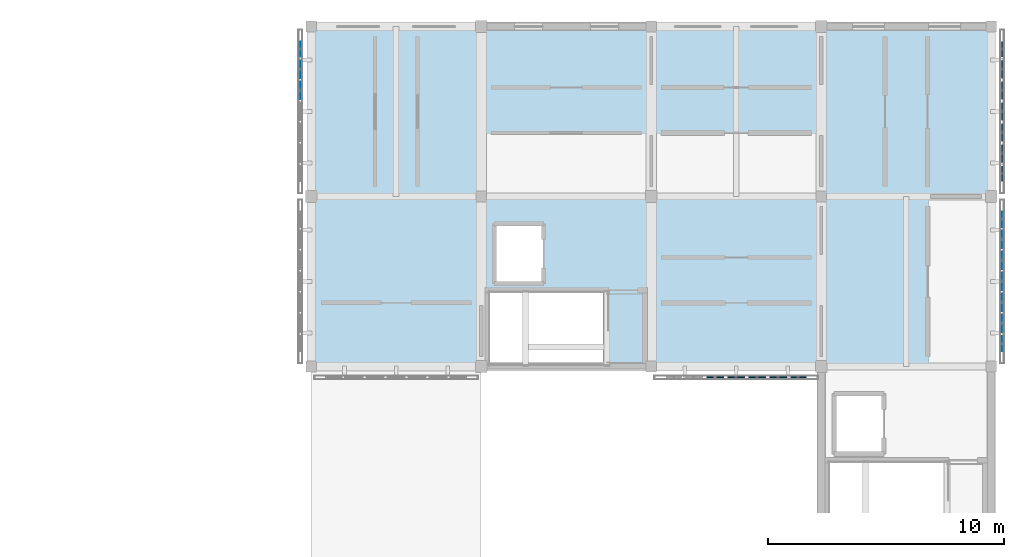
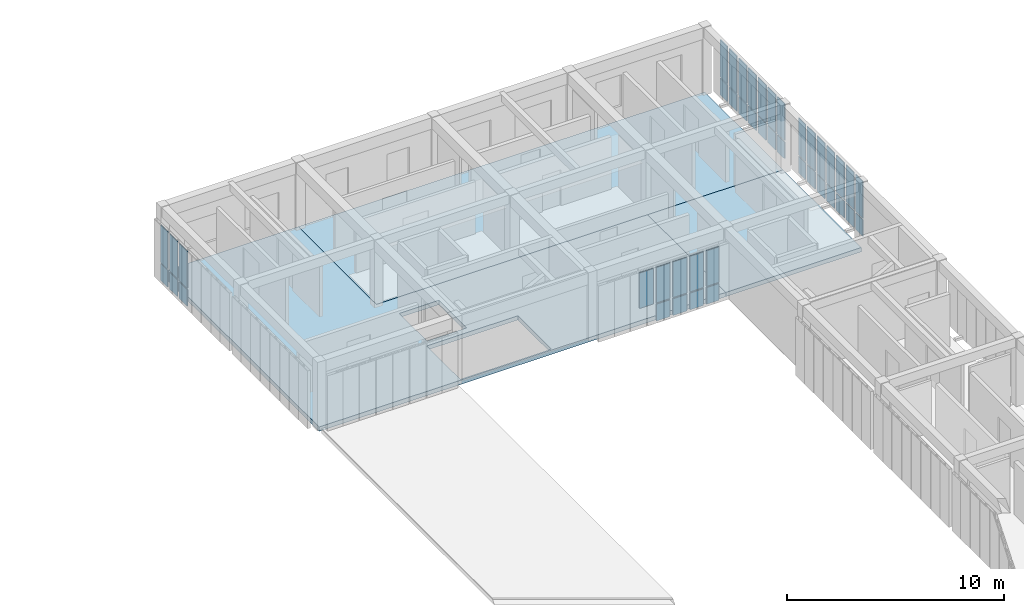
# One storey, part 22 of 33: 43 plates, 3 slabs, 4 elements without a shape of their own.
"""IFC4 building model written with IfcOpenShell, lengths in metres."""

from ifc_helpers import new_model, si_unit, direction, frame, origin, origin_2d, place, context, subcontext, project, spatial, polyline, rectangle, outline, extrude, material, layer, layer_set, type_object, element, aggregate, save


model = new_model("IFC4")

# Units and contexts
model_context = context("Model", 3, precision=1e-05, world=origin(), true_north=direction((0.0, 1.0)))
body_context = subcontext(model_context, "Body", "Model", "MODEL_VIEW")
ifc_project = project(units=[si_unit("LENGTHUNIT", "METRE"), si_unit("AREAUNIT", "SQUARE_METRE"), si_unit("VOLUMEUNIT", "CUBIC_METRE"), si_unit("PLANEANGLEUNIT", "RADIAN"), si_unit("MASSUNIT", "GRAM", prefix="KILO")], contexts=[model_context])

# Site, building, storey
site_placement = place(None, origin())
site = spatial("IfcSite", under=ifc_project, at=site_placement, CompositionType="ELEMENT")
building_placement = place(site_placement, origin())
building = spatial("IfcBuilding", under=site, at=building_placement, Name="Aldebral Square Health Centre", CompositionType="ELEMENT")
storey_placement = place(building_placement, frame((0.0, 0.0, 17.550048828125)))
storey = spatial("IfcBuildingStorey", under=building, at=storey_placement, Name="L04", CompositionType="ELEMENT", Elevation=17.550048828125)

# Curtain wall, plates
ifc_material_1 = material(Name="Aluminium and low-E solar glass", Category="aluminium")
curtain_wall_type = type_object("IfcCurtainWallType", Name="CW-FIN-SYS", PredefinedType="USERDEFINED", material=ifc_material_1)
curtain_wall_1_placement = place(storey_placement, origin())
curtain_wall_1 = element("IfcCurtainWall", 1, at=curtain_wall_1_placement, inside=storey, type_object=curtain_wall_type, Name="L04 V5 finned curtain wall L04-V5-19-15-W", ObjectType="SOLAR_CURTAIN_WALL", PredefinedType="USERDEFINED")
ifc_material_2 = material(Name="Solar-control low-E double glass", Category="glass")
ifc_layer_1 = layer(ifc_material_2, 0.0400390625, Name="Solar-control low-E double glass", Category="glass")
ifc_layer_set_1 = layer_set([ifc_layer_1], Name="Solar-control low-E double glass")
plate_type_1 = type_object("IfcPlateType", Name="CWP-GLZ-3", PredefinedType="CURTAIN_PANEL", material=ifc_layer_set_1)
plate_1_placement = place(storey_placement, frame((136.340087890625, 114.234375, 0.074951171875), z_axis=(0.0, 0.0, 1.0), x_axis=(0.0, -1.0, 0.0)))
plate_1 = element("IfcPlate", 2, at=plate_1_placement, type_object=plate_type_1, Name="CW1 panel 1.1", PredefinedType="CURTAIN_PANEL", context=body_context, shape_type="SweptSolid", body=[
    extrude(rectangle(XDim=0.6513671875, YDim=0.0400390625, at=origin_2d()), origin(), (0.0, 0.0, 1.0), 0.9375),
])
plate_2_placement = place(storey_placement, frame((136.340087890625, 114.234375, 1.08740234375), z_axis=(0.0, 0.0, 1.0), x_axis=(0.0, -1.0, 0.0)))
plate_2 = element("IfcPlate", 3, at=plate_2_placement, type_object=plate_type_1, Name="CW1 panel 1.2", PredefinedType="CURTAIN_PANEL", context=body_context, shape_type="SweptSolid", body=[
    extrude(rectangle(XDim=0.6513671875, YDim=0.0400390625, at=origin_2d()), origin(), (0.0, 0.0, 1.0), 2.08740234375),
])
plate_3_placement = place(storey_placement, frame((136.340087890625, 113.3828125, 0.074951171875), z_axis=(0.0, 0.0, 1.0), x_axis=(0.0, -1.0, 0.0)))
plate_3 = element("IfcPlate", 4, at=plate_3_placement, type_object=plate_type_1, Name="CW1 panel 2.1", PredefinedType="CURTAIN_PANEL", context=body_context, shape_type="SweptSolid", body=[
    extrude(rectangle(XDim=0.7314453125, YDim=0.0400390625, at=origin_2d()), origin(), (0.0, 0.0, 1.0), 0.9375),
])
plate_4_placement = place(storey_placement, frame((136.340087890625, 113.3828125, 1.08740234375), z_axis=(0.0, 0.0, 1.0), x_axis=(0.0, -1.0, 0.0)))
plate_4 = element("IfcPlate", 5, at=plate_4_placement, type_object=plate_type_1, Name="CW1 panel 2.2", PredefinedType="CURTAIN_PANEL", context=body_context, shape_type="SweptSolid", body=[
    extrude(rectangle(XDim=0.7314453125, YDim=0.0400390625, at=origin_2d()), origin(), (0.0, 0.0, 1.0), 2.08740234375),
])
plate_5_placement = place(storey_placement, frame((136.340087890625, 112.491455078125, 0.074951171875), z_axis=(0.0, 0.0, 1.0), x_axis=(0.0, -1.0, 0.0)))
plate_5 = element("IfcPlate", 6, at=plate_5_placement, type_object=plate_type_1, Name="CW1 panel 3.1", PredefinedType="CURTAIN_PANEL", context=body_context, shape_type="SweptSolid", body=[
    extrude(rectangle(XDim=0.7314453125, YDim=0.0400390625, at=origin_2d()), origin(), (0.0, 0.0, 1.0), 0.9375),
])
plate_6_placement = place(storey_placement, frame((136.340087890625, 112.491455078125, 1.08740234375), z_axis=(0.0, 0.0, 1.0), x_axis=(0.0, -1.0, 0.0)))
plate_6 = element("IfcPlate", 7, at=plate_6_placement, type_object=plate_type_1, Name="CW1 panel 3.2", PredefinedType="CURTAIN_PANEL", context=body_context, shape_type="SweptSolid", body=[
    extrude(rectangle(XDim=0.7314453125, YDim=0.0400390625, at=origin_2d()), origin(), (0.0, 0.0, 1.0), 2.08740234375),
])
aggregate(curtain_wall_1, [plate_1, plate_2, plate_3, plate_4, plate_5, plate_6])

curtain_wall_2_placement = place(storey_placement, origin())
curtain_wall_2 = element("IfcCurtainWall", 8, at=curtain_wall_2_placement, inside=storey, type_object=curtain_wall_type, Name="L04 V5 finned curtain wall L04-V5-22-14-E", ObjectType="SOLAR_CURTAIN_WALL", PredefinedType="USERDEFINED")
plate_7_placement = place(storey_placement, frame((166.06005859375, 101.765625, 0.074951171875), z_axis=(0.0, 0.0, 1.0), x_axis=(0.0, 1.0, 0.0)))
plate_7 = element("IfcPlate", 9, at=plate_7_placement, type_object=plate_type_1, Name="CW1 panel 1.1", PredefinedType="CURTAIN_PANEL", context=body_context, shape_type="SweptSolid", body=[
    extrude(rectangle(XDim=0.6513671875, YDim=0.0400390625, at=origin_2d()), origin(), (0.0, 0.0, 1.0), 0.9375),
])
plate_8_placement = place(storey_placement, frame((166.06005859375, 101.765625, 1.08740234375), z_axis=(0.0, 0.0, 1.0), x_axis=(0.0, 1.0, 0.0)))
plate_8 = element("IfcPlate", 10, at=plate_8_placement, type_object=plate_type_1, Name="CW1 panel 1.2", PredefinedType="CURTAIN_PANEL", context=body_context, shape_type="SweptSolid", body=[
    extrude(rectangle(XDim=0.6513671875, YDim=0.0400390625, at=origin_2d()), origin(), (0.0, 0.0, 1.0), 2.08740234375),
])
plate_9_placement = place(storey_placement, frame((166.06005859375, 102.6171875, 0.074951171875), z_axis=(0.0, 0.0, 1.0), x_axis=(0.0, 1.0, 0.0)))
plate_9 = element("IfcPlate", 11, at=plate_9_placement, type_object=plate_type_1, Name="CW1 panel 2.1", PredefinedType="CURTAIN_PANEL", context=body_context, shape_type="SweptSolid", body=[
    extrude(rectangle(XDim=0.7314453125, YDim=0.0400390625, at=origin_2d()), origin(), (0.0, 0.0, 1.0), 0.9375),
])
plate_10_placement = place(storey_placement, frame((166.06005859375, 102.6171875, 1.08740234375), z_axis=(0.0, 0.0, 1.0), x_axis=(0.0, 1.0, 0.0)))
plate_10 = element("IfcPlate", 12, at=plate_10_placement, type_object=plate_type_1, Name="CW1 panel 2.2", PredefinedType="CURTAIN_PANEL", context=body_context, shape_type="SweptSolid", body=[
    extrude(rectangle(XDim=0.7314453125, YDim=0.0400390625, at=origin_2d()), origin(), (0.0, 0.0, 1.0), 2.08740234375),
])
plate_11_placement = place(storey_placement, frame((166.06005859375, 103.508544921875, 0.074951171875), z_axis=(0.0, 0.0, 1.0), x_axis=(0.0, 1.0, 0.0)))
plate_11 = element("IfcPlate", 13, at=plate_11_placement, type_object=plate_type_1, Name="CW1 panel 3.1", PredefinedType="CURTAIN_PANEL", context=body_context, shape_type="SweptSolid", body=[
    extrude(rectangle(XDim=0.7314453125, YDim=0.0400390625, at=origin_2d()), origin(), (0.0, 0.0, 1.0), 0.9375),
])
plate_12_placement = place(storey_placement, frame((166.06005859375, 103.508544921875, 1.08740234375), z_axis=(0.0, 0.0, 1.0), x_axis=(0.0, 1.0, 0.0)))
plate_12 = element("IfcPlate", 14, at=plate_12_placement, type_object=plate_type_1, Name="CW1 panel 3.2", PredefinedType="CURTAIN_PANEL", context=body_context, shape_type="SweptSolid", body=[
    extrude(rectangle(XDim=0.7314453125, YDim=0.0400390625, at=origin_2d()), origin(), (0.0, 0.0, 1.0), 2.08740234375),
])
plate_13_placement = place(storey_placement, frame((166.06005859375, 104.39990234375, 0.074951171875), z_axis=(0.0, 0.0, 1.0), x_axis=(0.0, 1.0, 0.0)))
plate_13 = element("IfcPlate", 15, at=plate_13_placement, type_object=plate_type_1, Name="CW1 panel 4.1", PredefinedType="CURTAIN_PANEL", context=body_context, shape_type="SweptSolid", body=[
    extrude(rectangle(XDim=0.7314453125, YDim=0.0400390625, at=origin_2d()), origin(), (0.0, 0.0, 1.0), 0.9375),
])
plate_14_placement = place(storey_placement, frame((166.06005859375, 104.39990234375, 1.08740234375), z_axis=(0.0, 0.0, 1.0), x_axis=(0.0, 1.0, 0.0)))
plate_14 = element("IfcPlate", 16, at=plate_14_placement, type_object=plate_type_1, Name="CW1 panel 4.2", PredefinedType="CURTAIN_PANEL", context=body_context, shape_type="SweptSolid", body=[
    extrude(rectangle(XDim=0.7314453125, YDim=0.0400390625, at=origin_2d()), origin(), (0.0, 0.0, 1.0), 2.08740234375),
])
plate_15_placement = place(storey_placement, frame((166.06005859375, 105.29150390625, 0.074951171875), z_axis=(0.0, 0.0, 1.0), x_axis=(0.0, 1.0, 0.0)))
plate_15 = element("IfcPlate", 17, at=plate_15_placement, type_object=plate_type_1, Name="CW1 panel 5.1", PredefinedType="CURTAIN_PANEL", context=body_context, shape_type="SweptSolid", body=[
    extrude(rectangle(XDim=0.7314453125, YDim=0.0400390625, at=origin_2d()), origin(), (0.0, 0.0, 1.0), 0.9375),
])
plate_16_placement = place(storey_placement, frame((166.06005859375, 105.29150390625, 1.08740234375), z_axis=(0.0, 0.0, 1.0), x_axis=(0.0, 1.0, 0.0)))
plate_16 = element("IfcPlate", 18, at=plate_16_placement, type_object=plate_type_1, Name="CW1 panel 5.2", PredefinedType="CURTAIN_PANEL", context=body_context, shape_type="SweptSolid", body=[
    extrude(rectangle(XDim=0.7314453125, YDim=0.0400390625, at=origin_2d()), origin(), (0.0, 0.0, 1.0), 2.08740234375),
])
plate_17_placement = place(storey_placement, frame((166.06005859375, 106.182861328125, 0.074951171875), z_axis=(0.0, 0.0, 1.0), x_axis=(0.0, 1.0, 0.0)))
plate_17 = element("IfcPlate", 19, at=plate_17_placement, type_object=plate_type_1, Name="CW1 panel 6.1", PredefinedType="CURTAIN_PANEL", context=body_context, shape_type="SweptSolid", body=[
    extrude(rectangle(XDim=0.7314453125, YDim=0.0400390625, at=origin_2d()), origin(), (0.0, 0.0, 1.0), 0.9375),
])
plate_18_placement = place(storey_placement, frame((166.06005859375, 106.182861328125, 1.08740234375), z_axis=(0.0, 0.0, 1.0), x_axis=(0.0, 1.0, 0.0)))
plate_18 = element("IfcPlate", 20, at=plate_18_placement, type_object=plate_type_1, Name="CW1 panel 6.2", PredefinedType="CURTAIN_PANEL", context=body_context, shape_type="SweptSolid", body=[
    extrude(rectangle(XDim=0.7314453125, YDim=0.0400390625, at=origin_2d()), origin(), (0.0, 0.0, 1.0), 2.08740234375),
])
plate_19_placement = place(storey_placement, frame((166.06005859375, 107.0341796875, 0.074951171875), z_axis=(0.0, 0.0, 1.0), x_axis=(0.0, 1.0, 0.0)))
plate_19 = element("IfcPlate", 21, at=plate_19_placement, type_object=plate_type_1, Name="CW1 panel 7.1", PredefinedType="CURTAIN_PANEL", context=body_context, shape_type="SweptSolid", body=[
    extrude(rectangle(XDim=0.6513671875, YDim=0.0400390625, at=origin_2d()), origin(), (0.0, 0.0, 1.0), 0.9375),
])
plate_20_placement = place(storey_placement, frame((166.06005859375, 107.0341796875, 1.08740234375), z_axis=(0.0, 0.0, 1.0), x_axis=(0.0, 1.0, 0.0)))
plate_20 = element("IfcPlate", 22, at=plate_20_placement, type_object=plate_type_1, Name="CW1 panel 7.2", PredefinedType="CURTAIN_PANEL", context=body_context, shape_type="SweptSolid", body=[
    extrude(rectangle(XDim=0.6513671875, YDim=0.0400390625, at=origin_2d()), origin(), (0.0, 0.0, 1.0), 2.08740234375),
])
aggregate(curtain_wall_2, [plate_7, plate_8, plate_9, plate_10, plate_11, plate_12, plate_13, plate_14, plate_15, plate_16, plate_17, plate_18, plate_19, plate_20])

curtain_wall_3_placement = place(storey_placement, origin())
curtain_wall_3 = element("IfcCurtainWall", 23, at=curtain_wall_3_placement, inside=storey, type_object=curtain_wall_type, Name="L04 V5 finned curtain wall L04-V5-21-14-S", ObjectType="SOLAR_CURTAIN_WALL", PredefinedType="USERDEFINED")
ifc_layer_2 = layer(ifc_material_2, 0.050048828125, Name="Solar-control low-E double glass", Category="glass")
ifc_layer_set_2 = layer_set([ifc_layer_2], Name="Solar-control low-E double glass")
plate_type_2 = type_object("IfcPlateType", Name="CWP-GLZ-4", PredefinedType="CURTAIN_PANEL", material=ifc_layer_set_2)
plate_21_placement = place(storey_placement, frame((153.90869140625, 100.340087890625, 1.08740234375), z_axis=(0.0, 0.0, 1.0), x_axis=(1.0, 0.0, 0.0)))
plate_21 = element("IfcPlate", 24, at=plate_21_placement, type_object=plate_type_2, Name="CW1 panel 3.2", PredefinedType="CURTAIN_PANEL", context=body_context, shape_type="SweptSolid", body=[
    extrude(rectangle(XDim=0.7314453125, YDim=0.050048828125, at=origin_2d()), origin(), (0.0, 0.0, 1.0), 1.987548828125),
])
plate_22_placement = place(storey_placement, frame((154.800048828125, 100.340087890625, 0.074951171875), z_axis=(0.0, 0.0, 1.0), x_axis=(1.0, 0.0, 0.0)))
plate_22 = element("IfcPlate", 25, at=plate_22_placement, type_object=plate_type_2, Name="CW1 panel 4.1", PredefinedType="CURTAIN_PANEL", context=body_context, shape_type="SweptSolid", body=[
    extrude(rectangle(XDim=0.7314453125, YDim=0.050048828125, at=origin_2d()), origin(), (0.0, 0.0, 1.0), 0.9375),
])
plate_23_placement = place(storey_placement, frame((154.800048828125, 100.340087890625, 1.08740234375), z_axis=(0.0, 0.0, 1.0), x_axis=(1.0, 0.0, 0.0)))
plate_23 = element("IfcPlate", 26, at=plate_23_placement, type_object=plate_type_2, Name="CW1 panel 4.2", PredefinedType="CURTAIN_PANEL", context=body_context, shape_type="SweptSolid", body=[
    extrude(rectangle(XDim=0.7314453125, YDim=0.050048828125, at=origin_2d()), origin(), (0.0, 0.0, 1.0), 1.987548828125),
])
plate_24_placement = place(storey_placement, frame((155.69140625, 100.340087890625, 0.074951171875), z_axis=(0.0, 0.0, 1.0), x_axis=(1.0, 0.0, 0.0)))
plate_24 = element("IfcPlate", 27, at=plate_24_placement, type_object=plate_type_2, Name="CW1 panel 5.1", PredefinedType="CURTAIN_PANEL", context=body_context, shape_type="SweptSolid", body=[
    extrude(rectangle(XDim=0.7314453125, YDim=0.050048828125, at=origin_2d()), origin(), (0.0, 0.0, 1.0), 0.9375),
])
plate_25_placement = place(storey_placement, frame((155.69140625, 100.340087890625, 1.08740234375), z_axis=(0.0, 0.0, 1.0), x_axis=(1.0, 0.0, 0.0)))
plate_25 = element("IfcPlate", 28, at=plate_25_placement, type_object=plate_type_2, Name="CW1 panel 5.2", PredefinedType="CURTAIN_PANEL", context=body_context, shape_type="SweptSolid", body=[
    extrude(rectangle(XDim=0.7314453125, YDim=0.050048828125, at=origin_2d()), origin(), (0.0, 0.0, 1.0), 1.987548828125),
])
plate_26_placement = place(storey_placement, frame((156.582763671875, 100.340087890625, 0.074951171875), z_axis=(0.0, 0.0, 1.0), x_axis=(1.0, 0.0, 0.0)))
plate_26 = element("IfcPlate", 29, at=plate_26_placement, type_object=plate_type_2, Name="CW1 panel 6.1", PredefinedType="CURTAIN_PANEL", context=body_context, shape_type="SweptSolid", body=[
    extrude(rectangle(XDim=0.7314453125, YDim=0.050048828125, at=origin_2d()), origin(), (0.0, 0.0, 1.0), 0.9375),
])
plate_27_placement = place(storey_placement, frame((156.582763671875, 100.340087890625, 1.08740234375), z_axis=(0.0, 0.0, 1.0), x_axis=(1.0, 0.0, 0.0)))
plate_27 = element("IfcPlate", 30, at=plate_27_placement, type_object=plate_type_2, Name="CW1 panel 6.2", PredefinedType="CURTAIN_PANEL", context=body_context, shape_type="SweptSolid", body=[
    extrude(rectangle(XDim=0.7314453125, YDim=0.050048828125, at=origin_2d()), origin(), (0.0, 0.0, 1.0), 1.987548828125),
])
plate_28_placement = place(storey_placement, frame((157.434326171875, 100.340087890625, 0.074951171875), z_axis=(0.0, 0.0, 1.0), x_axis=(1.0, 0.0, 0.0)))
plate_28 = element("IfcPlate", 31, at=plate_28_placement, type_object=plate_type_2, Name="CW1 panel 7.1", PredefinedType="CURTAIN_PANEL", context=body_context, shape_type="SweptSolid", body=[
    extrude(rectangle(XDim=0.6513671875, YDim=0.050048828125, at=origin_2d()), origin(), (0.0, 0.0, 1.0), 0.9375),
])
plate_29_placement = place(storey_placement, frame((157.434326171875, 100.340087890625, 1.08740234375), z_axis=(0.0, 0.0, 1.0), x_axis=(1.0, 0.0, 0.0)))
plate_29 = element("IfcPlate", 32, at=plate_29_placement, type_object=plate_type_2, Name="CW1 panel 7.2", PredefinedType="CURTAIN_PANEL", context=body_context, shape_type="SweptSolid", body=[
    extrude(rectangle(XDim=0.6513671875, YDim=0.050048828125, at=origin_2d()), origin(), (0.0, 0.0, 1.0), 1.987548828125),
])
aggregate(curtain_wall_3, [plate_21, plate_22, plate_23, plate_24, plate_25, plate_26, plate_27, plate_28, plate_29])

curtain_wall_4_placement = place(storey_placement, origin())
curtain_wall_4 = element("IfcCurtainWall", 33, at=curtain_wall_4_placement, inside=storey, type_object=curtain_wall_type, Name="L04 V5 finned curtain wall L04-V5-22-15-E", ObjectType="SOLAR_CURTAIN_WALL", PredefinedType="USERDEFINED")
plate_30_placement = place(storey_placement, frame((166.06005859375, 108.9658203125, 0.074951171875), z_axis=(0.0, 0.0, 1.0), x_axis=(0.0, 1.0, 0.0)))
plate_30 = element("IfcPlate", 34, at=plate_30_placement, type_object=plate_type_2, Name="CW1 panel 1.1", PredefinedType="CURTAIN_PANEL", context=body_context, shape_type="SweptSolid", body=[
    extrude(rectangle(XDim=0.6513671875, YDim=0.050048828125, at=origin_2d()), origin(), (0.0, 0.0, 1.0), 0.9375),
])
plate_31_placement = place(storey_placement, frame((166.06005859375, 108.9658203125, 1.08740234375), z_axis=(0.0, 0.0, 1.0), x_axis=(0.0, 1.0, 0.0)))
plate_31 = element("IfcPlate", 35, at=plate_31_placement, type_object=plate_type_2, Name="CW1 panel 1.2", PredefinedType="CURTAIN_PANEL", context=body_context, shape_type="SweptSolid", body=[
    extrude(rectangle(XDim=0.6513671875, YDim=0.050048828125, at=origin_2d()), origin(), (0.0, 0.0, 1.0), 2.08740234375),
])
plate_32_placement = place(storey_placement, frame((166.06005859375, 109.817138671875, 0.074951171875), z_axis=(0.0, 0.0, 1.0), x_axis=(0.0, 1.0, 0.0)))
plate_32 = element("IfcPlate", 36, at=plate_32_placement, type_object=plate_type_2, Name="CW1 panel 2.1", PredefinedType="CURTAIN_PANEL", context=body_context, shape_type="SweptSolid", body=[
    extrude(rectangle(XDim=0.7314453125, YDim=0.050048828125, at=origin_2d()), origin(), (0.0, 0.0, 1.0), 0.9375),
])
plate_33_placement = place(storey_placement, frame((166.06005859375, 109.817138671875, 1.08740234375), z_axis=(0.0, 0.0, 1.0), x_axis=(0.0, 1.0, 0.0)))
plate_33 = element("IfcPlate", 37, at=plate_33_placement, type_object=plate_type_2, Name="CW1 panel 2.2", PredefinedType="CURTAIN_PANEL", context=body_context, shape_type="SweptSolid", body=[
    extrude(rectangle(XDim=0.7314453125, YDim=0.050048828125, at=origin_2d()), origin(), (0.0, 0.0, 1.0), 2.08740234375),
])
plate_34_placement = place(storey_placement, frame((166.06005859375, 110.70849609375, 0.074951171875), z_axis=(0.0, 0.0, 1.0), x_axis=(0.0, 1.0, 0.0)))
plate_34 = element("IfcPlate", 38, at=plate_34_placement, type_object=plate_type_2, Name="CW1 panel 3.1", PredefinedType="CURTAIN_PANEL", context=body_context, shape_type="SweptSolid", body=[
    extrude(rectangle(XDim=0.7314453125, YDim=0.050048828125, at=origin_2d()), origin(), (0.0, 0.0, 1.0), 0.9375),
])
plate_35_placement = place(storey_placement, frame((166.06005859375, 110.70849609375, 1.08740234375), z_axis=(0.0, 0.0, 1.0), x_axis=(0.0, 1.0, 0.0)))
plate_35 = element("IfcPlate", 39, at=plate_35_placement, type_object=plate_type_2, Name="CW1 panel 3.2", PredefinedType="CURTAIN_PANEL", context=body_context, shape_type="SweptSolid", body=[
    extrude(rectangle(XDim=0.7314453125, YDim=0.050048828125, at=origin_2d()), origin(), (0.0, 0.0, 1.0), 2.08740234375),
])
plate_36_placement = place(storey_placement, frame((166.06005859375, 111.60009765625, 0.074951171875), z_axis=(0.0, 0.0, 1.0), x_axis=(0.0, 1.0, 0.0)))
plate_36 = element("IfcPlate", 40, at=plate_36_placement, type_object=plate_type_2, Name="CW1 panel 4.1", PredefinedType="CURTAIN_PANEL", context=body_context, shape_type="SweptSolid", body=[
    extrude(rectangle(XDim=0.7314453125, YDim=0.050048828125, at=origin_2d()), origin(), (0.0, 0.0, 1.0), 0.9375),
])
plate_37_placement = place(storey_placement, frame((166.06005859375, 111.60009765625, 1.08740234375), z_axis=(0.0, 0.0, 1.0), x_axis=(0.0, 1.0, 0.0)))
plate_37 = element("IfcPlate", 41, at=plate_37_placement, type_object=plate_type_2, Name="CW1 panel 4.2", PredefinedType="CURTAIN_PANEL", context=body_context, shape_type="SweptSolid", body=[
    extrude(rectangle(XDim=0.7314453125, YDim=0.050048828125, at=origin_2d()), origin(), (0.0, 0.0, 1.0), 2.08740234375),
])
plate_38_placement = place(storey_placement, frame((166.06005859375, 112.491455078125, 0.074951171875), z_axis=(0.0, 0.0, 1.0), x_axis=(0.0, 1.0, 0.0)))
plate_38 = element("IfcPlate", 42, at=plate_38_placement, type_object=plate_type_2, Name="CW1 panel 5.1", PredefinedType="CURTAIN_PANEL", context=body_context, shape_type="SweptSolid", body=[
    extrude(rectangle(XDim=0.7314453125, YDim=0.050048828125, at=origin_2d()), origin(), (0.0, 0.0, 1.0), 0.9375),
])
plate_39_placement = place(storey_placement, frame((166.06005859375, 112.491455078125, 1.08740234375), z_axis=(0.0, 0.0, 1.0), x_axis=(0.0, 1.0, 0.0)))
plate_39 = element("IfcPlate", 43, at=plate_39_placement, type_object=plate_type_2, Name="CW1 panel 5.2", PredefinedType="CURTAIN_PANEL", context=body_context, shape_type="SweptSolid", body=[
    extrude(rectangle(XDim=0.7314453125, YDim=0.050048828125, at=origin_2d()), origin(), (0.0, 0.0, 1.0), 2.08740234375),
])
plate_40_placement = place(storey_placement, frame((166.06005859375, 113.3828125, 0.074951171875), z_axis=(0.0, 0.0, 1.0), x_axis=(0.0, 1.0, 0.0)))
plate_40 = element("IfcPlate", 44, at=plate_40_placement, type_object=plate_type_2, Name="CW1 panel 6.1", PredefinedType="CURTAIN_PANEL", context=body_context, shape_type="SweptSolid", body=[
    extrude(rectangle(XDim=0.7314453125, YDim=0.050048828125, at=origin_2d()), origin(), (0.0, 0.0, 1.0), 0.9375),
])
plate_41_placement = place(storey_placement, frame((166.06005859375, 113.3828125, 1.08740234375), z_axis=(0.0, 0.0, 1.0), x_axis=(0.0, 1.0, 0.0)))
plate_41 = element("IfcPlate", 45, at=plate_41_placement, type_object=plate_type_2, Name="CW1 panel 6.2", PredefinedType="CURTAIN_PANEL", context=body_context, shape_type="SweptSolid", body=[
    extrude(rectangle(XDim=0.7314453125, YDim=0.050048828125, at=origin_2d()), origin(), (0.0, 0.0, 1.0), 2.08740234375),
])
plate_42_placement = place(storey_placement, frame((166.06005859375, 114.234375, 0.074951171875), z_axis=(0.0, 0.0, 1.0), x_axis=(0.0, 1.0, 0.0)))
plate_42 = element("IfcPlate", 46, at=plate_42_placement, type_object=plate_type_2, Name="CW1 panel 7.1", PredefinedType="CURTAIN_PANEL", context=body_context, shape_type="SweptSolid", body=[
    extrude(rectangle(XDim=0.6513671875, YDim=0.050048828125, at=origin_2d()), origin(), (0.0, 0.0, 1.0), 0.9375),
])
plate_43_placement = place(storey_placement, frame((166.06005859375, 114.234375, 1.08740234375), z_axis=(0.0, 0.0, 1.0), x_axis=(0.0, 1.0, 0.0)))
plate_43 = element("IfcPlate", 47, at=plate_43_placement, type_object=plate_type_2, Name="CW1 panel 7.2", PredefinedType="CURTAIN_PANEL", context=body_context, shape_type="SweptSolid", body=[
    extrude(rectangle(XDim=0.6513671875, YDim=0.050048828125, at=origin_2d()), origin(), (0.0, 0.0, 1.0), 2.08740234375),
])
aggregate(curtain_wall_4, [plate_30, plate_31, plate_32, plate_33, plate_34, plate_35, plate_36, plate_37, plate_38, plate_39, plate_40, plate_41, plate_42, plate_43])

# Slabs
ifc_material_3 = material(Name="Concrete C35/45", Category="concrete")
ifc_layer_3 = layer(ifc_material_3, 0.239990234375, Name="Concrete C35/45", Category="concrete")
ifc_layer_set_3 = layer_set([ifc_layer_3], Name="Concrete C35/45")
slab_type = type_object("IfcSlabType", Name="SL-FLR-240", PredefinedType="FLOOR", material=ifc_layer_set_3)
slab_1_placement = place(storey_placement, frame((0.0, 0.0, -0.239990234375)))
element("IfcSlab", 48, at=slab_1_placement, inside=storey, type_object=slab_type, Name="L04 V5 floor slab 1", PredefinedType="FLOOR", context=body_context, shape_type="SweptSolid", body=[
    extrude(outline(polyline([(136.800048828125, 115.199951171875), (144.0, 115.199951171875), (144.0, 108.0), (151.199951171875, 108.0), (158.39990234375, 108.0), (158.39990234375, 100.800048828125), (151.199951171875, 100.800048828125), (144.0, 100.800048828125), (136.800048828125, 100.800048828125), (136.800048828125, 108.0), (136.800048828125, 115.199951171875)]), holes=[polyline([(144.340087890625, 103.9599609375), (144.340087890625, 100.8798828125), (149.179931640625, 100.8798828125), (149.179931640625, 103.9599609375), (144.340087890625, 103.9599609375)]), polyline([(144.550048828125, 106.85009765625), (144.550048828125, 104.300048828125), (146.64990234375, 104.300048828125), (146.64990234375, 106.85009765625), (144.550048828125, 106.85009765625)])]), origin(), (0.0, 0.0, 1.0), 0.239990234375),
])
slab_2_placement = place(storey_placement, frame((0.0, 0.0, -0.239990234375)))
element("IfcSlab", 49, at=slab_2_placement, inside=storey, type_object=slab_type, Name="L04 V5 floor slab 2", PredefinedType="FLOOR", context=body_context, shape_type="SweptSolid", body=[
    extrude(outline(polyline([(144.0, 115.199951171875), (151.199951171875, 115.199951171875), (158.39990234375, 115.199951171875), (165.60009765625, 115.199951171875), (165.60009765625, 108.0), (158.39990234375, 108.0), (151.199951171875, 108.0), (144.0, 108.0), (144.0, 115.199951171875)])), origin(), (0.0, 0.0, 1.0), 0.239990234375),
])
slab_3_placement = place(storey_placement, frame((0.0, 0.0, -0.239990234375)))
element("IfcSlab", 50, at=slab_3_placement, inside=storey, type_object=slab_type, Name="L04 V5 floor slab 5", PredefinedType="FLOOR", context=body_context, shape_type="SweptSolid", body=[
    extrude(outline(polyline([(158.39990234375, 100.800048828125), (158.39990234375, 108.0), (165.60009765625, 108.0), (165.60009765625, 100.800048828125), (158.39990234375, 100.800048828125)])), origin(), (0.0, 0.0, 1.0), 0.239990234375),
])

save(model, "model.ifc")
